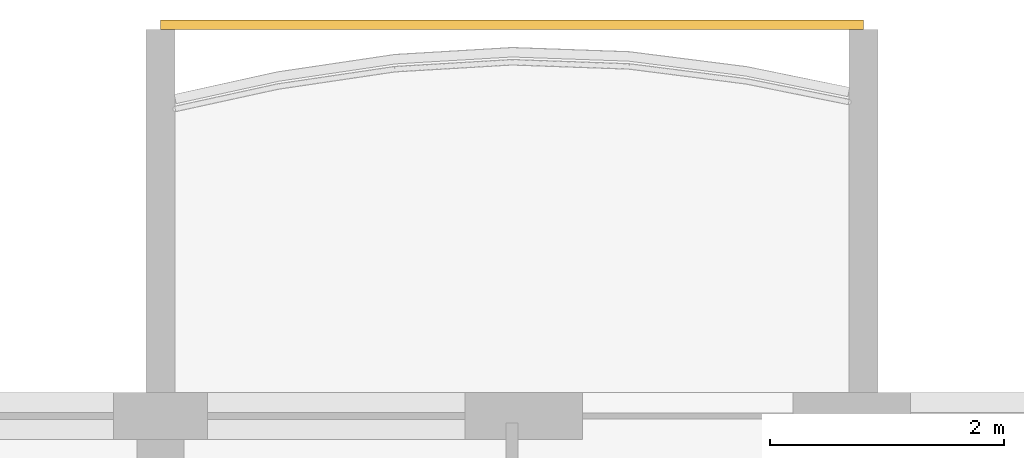
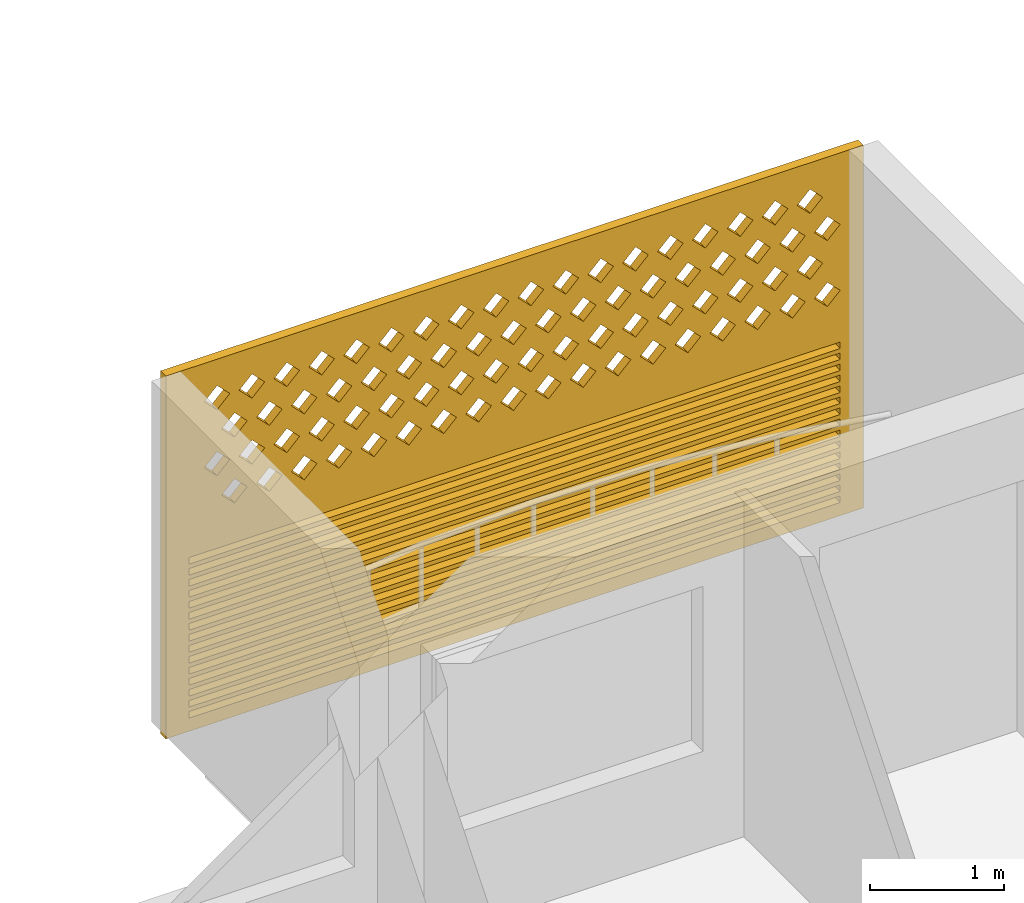
# One storey, part 23 of 38: 1 covering.
"""IFC4 building model written with IfcOpenShell, lengths in metres."""

from ifc_helpers import new_model, si_unit, direction, frame, origin, place, context, subcontext, project, spatial, polyline, outline, extrude, source, transform, mapped, material, material_profile, profile_set, type_object, element, save


model = new_model("IFC4")

# Units and contexts
model_context = context("Model", 3, precision=1e-05, world=origin(), true_north=direction((0.0, 1.0)))
body_context = subcontext(model_context, "Body", "Model", "MODEL_VIEW")
ifc_project = project(units=[si_unit("LENGTHUNIT", "METRE"), si_unit("AREAUNIT", "SQUARE_METRE"), si_unit("VOLUMEUNIT", "CUBIC_METRE"), si_unit("PLANEANGLEUNIT", "RADIAN"), si_unit("MASSUNIT", "GRAM", prefix="KILO")], contexts=[model_context])

# Site, building, storey
site_placement = place(None, origin())
site = spatial("IfcSite", under=ifc_project, at=site_placement, CompositionType="ELEMENT")
building_placement = place(site_placement, origin())
building = spatial("IfcBuilding", under=site, at=building_placement, Name="Poui Terraces", CompositionType="ELEMENT")
storey_placement = place(building_placement, frame((0.0, 0.0, 43.199951171875)))
storey = spatial("IfcBuildingStorey", under=building, at=storey_placement, Name="L11", CompositionType="ELEMENT", Elevation=43.199951171875)

# Covering
ifc_material = material(Name="Terracotta screen", Category="masonry")
ifc_material_profile = material_profile(ifc_material, outline(polyline([(-3.0, -1.64990234375), (3.0, -1.64990234375), (3.0, 1.64990234375), (-3.0, 1.64990234375), (-3.0, -1.64990234375)]), holes=[polyline([(-2.800048828125, 0.39990234375), (-2.68994140625, 0.2900390625), (-2.580078125, 0.39990234375), (-2.68994140625, 0.510009765625), (-2.800048828125, 0.39990234375)]), polyline([(-2.5, 0.39990234375), (-2.389892578125, 0.2900390625), (-2.280029296875, 0.39990234375), (-2.389892578125, 0.510009765625), (-2.5, 0.39990234375)]), polyline([(-2.199951171875, 0.39990234375), (-2.090087890625, 0.2900390625), (-1.97998046875, 0.39990234375), (-2.090087890625, 0.510009765625), (-2.199951171875, 0.39990234375)]), polyline([(-1.89990234375, 0.39990234375), (-1.7900390625, 0.2900390625), (-1.679931640625, 0.39990234375), (-1.7900390625, 0.510009765625), (-1.89990234375, 0.39990234375)]), polyline([(-1.60009765625, 0.39990234375), (-1.489990234375, 0.2900390625), (-1.3798828125, 0.39990234375), (-1.489990234375, 0.510009765625), (-1.60009765625, 0.39990234375)]), polyline([(-1.300048828125, 0.39990234375), (-1.18994140625, 0.2900390625), (-1.080078125, 0.39990234375), (-1.18994140625, 0.510009765625), (-1.300048828125, 0.39990234375)]), polyline([(-1.0, 0.39990234375), (-0.889892578125, 0.2900390625), (-0.780029296875, 0.39990234375), (-0.889892578125, 0.510009765625), (-1.0, 0.39990234375)]), polyline([(-0.699951171875, 0.39990234375), (-0.590087890625, 0.2900390625), (-0.47998046875, 0.39990234375), (-0.590087890625, 0.510009765625), (-0.699951171875, 0.39990234375)]), polyline([(-0.39990234375, 0.39990234375), (-0.2900390625, 0.2900390625), (-0.179931640625, 0.39990234375), (-0.2900390625, 0.510009765625), (-0.39990234375, 0.39990234375)]), polyline([(-0.10009765625, 0.39990234375), (0.010009765625, 0.2900390625), (0.1201171875, 0.39990234375), (0.010009765625, 0.510009765625), (-0.10009765625, 0.39990234375)]), polyline([(0.199951171875, 0.39990234375), (0.31005859375, 0.2900390625), (0.419921875, 0.39990234375), (0.31005859375, 0.510009765625), (0.199951171875, 0.39990234375)]), polyline([(0.5, 0.39990234375), (0.610107421875, 0.2900390625), (0.719970703125, 0.39990234375), (0.610107421875, 0.510009765625), (0.5, 0.39990234375)]), polyline([(0.800048828125, 0.39990234375), (0.909912109375, 0.2900390625), (1.02001953125, 0.39990234375), (0.909912109375, 0.510009765625), (0.800048828125, 0.39990234375)]), polyline([(1.10009765625, 0.39990234375), (1.2099609375, 0.2900390625), (1.320068359375, 0.39990234375), (1.2099609375, 0.510009765625), (1.10009765625, 0.39990234375)]), polyline([(1.39990234375, 0.39990234375), (1.510009765625, 0.2900390625), (1.6201171875, 0.39990234375), (1.510009765625, 0.510009765625), (1.39990234375, 0.39990234375)]), polyline([(1.699951171875, 0.39990234375), (1.81005859375, 0.2900390625), (1.919921875, 0.39990234375), (1.81005859375, 0.510009765625), (1.699951171875, 0.39990234375)]), polyline([(2.0, 0.39990234375), (2.110107421875, 0.2900390625), (2.219970703125, 0.39990234375), (2.110107421875, 0.510009765625), (2.0, 0.39990234375)]), polyline([(2.300048828125, 0.39990234375), (2.409912109375, 0.2900390625), (2.52001953125, 0.39990234375), (2.409912109375, 0.510009765625), (2.300048828125, 0.39990234375)]), polyline([(-2.64990234375, 0.699951171875), (-2.5400390625, 0.590087890625), (-2.429931640625, 0.699951171875), (-2.5400390625, 0.81005859375), (-2.64990234375, 0.699951171875)]), polyline([(-2.35009765625, 0.699951171875), (-2.239990234375, 0.590087890625), (-2.1298828125, 0.699951171875), (-2.239990234375, 0.81005859375), (-2.35009765625, 0.699951171875)]), polyline([(-2.050048828125, 0.699951171875), (-1.93994140625, 0.590087890625), (-1.830078125, 0.699951171875), (-1.93994140625, 0.81005859375), (-2.050048828125, 0.699951171875)]), polyline([(-1.75, 0.699951171875), (-1.639892578125, 0.590087890625), (-1.530029296875, 0.699951171875), (-1.639892578125, 0.81005859375), (-1.75, 0.699951171875)]), polyline([(-1.449951171875, 0.699951171875), (-1.340087890625, 0.590087890625), (-1.22998046875, 0.699951171875), (-1.340087890625, 0.81005859375), (-1.449951171875, 0.699951171875)]), polyline([(-1.14990234375, 0.699951171875), (-1.0400390625, 0.590087890625), (-0.929931640625, 0.699951171875), (-1.0400390625, 0.81005859375), (-1.14990234375, 0.699951171875)]), polyline([(-0.85009765625, 0.699951171875), (-0.739990234375, 0.590087890625), (-0.6298828125, 0.699951171875), (-0.739990234375, 0.81005859375), (-0.85009765625, 0.699951171875)]), polyline([(-0.550048828125, 0.699951171875), (-0.43994140625, 0.590087890625), (-0.330078125, 0.699951171875), (-0.43994140625, 0.81005859375), (-0.550048828125, 0.699951171875)]), polyline([(-0.25, 0.699951171875), (-0.139892578125, 0.590087890625), (-0.030029296875, 0.699951171875), (-0.139892578125, 0.81005859375), (-0.25, 0.699951171875)]), polyline([(0.050048828125, 0.699951171875), (0.159912109375, 0.590087890625), (0.27001953125, 0.699951171875), (0.159912109375, 0.81005859375), (0.050048828125, 0.699951171875)]), polyline([(0.35009765625, 0.699951171875), (0.4599609375, 0.590087890625), (0.570068359375, 0.699951171875), (0.4599609375, 0.81005859375), (0.35009765625, 0.699951171875)]), polyline([(0.64990234375, 0.699951171875), (0.760009765625, 0.590087890625), (0.8701171875, 0.699951171875), (0.760009765625, 0.81005859375), (0.64990234375, 0.699951171875)]), polyline([(0.949951171875, 0.699951171875), (1.06005859375, 0.590087890625), (1.169921875, 0.699951171875), (1.06005859375, 0.81005859375), (0.949951171875, 0.699951171875)]), polyline([(1.25, 0.699951171875), (1.360107421875, 0.590087890625), (1.469970703125, 0.699951171875), (1.360107421875, 0.81005859375), (1.25, 0.699951171875)]), polyline([(1.550048828125, 0.699951171875), (1.659912109375, 0.590087890625), (1.77001953125, 0.699951171875), (1.659912109375, 0.81005859375), (1.550048828125, 0.699951171875)]), polyline([(1.85009765625, 0.699951171875), (1.9599609375, 0.590087890625), (2.070068359375, 0.699951171875), (1.9599609375, 0.81005859375), (1.85009765625, 0.699951171875)]), polyline([(2.14990234375, 0.699951171875), (2.260009765625, 0.590087890625), (2.3701171875, 0.699951171875), (2.260009765625, 0.81005859375), (2.14990234375, 0.699951171875)]), polyline([(2.449951171875, 0.699951171875), (2.56005859375, 0.590087890625), (2.669921875, 0.699951171875), (2.56005859375, 0.81005859375), (2.449951171875, 0.699951171875)]), polyline([(-2.800048828125, 1.0), (-2.68994140625, 0.889892578125), (-2.580078125, 1.0), (-2.68994140625, 1.110107421875), (-2.800048828125, 1.0)]), polyline([(-2.5, 1.0), (-2.389892578125, 0.889892578125), (-2.280029296875, 1.0), (-2.389892578125, 1.110107421875), (-2.5, 1.0)]), polyline([(-2.199951171875, 1.0), (-2.090087890625, 0.889892578125), (-1.97998046875, 1.0), (-2.090087890625, 1.110107421875), (-2.199951171875, 1.0)]), polyline([(-1.89990234375, 1.0), (-1.7900390625, 0.889892578125), (-1.679931640625, 1.0), (-1.7900390625, 1.110107421875), (-1.89990234375, 1.0)]), polyline([(-1.60009765625, 1.0), (-1.489990234375, 0.889892578125), (-1.3798828125, 1.0), (-1.489990234375, 1.110107421875), (-1.60009765625, 1.0)]), polyline([(-1.300048828125, 1.0), (-1.18994140625, 0.889892578125), (-1.080078125, 1.0), (-1.18994140625, 1.110107421875), (-1.300048828125, 1.0)]), polyline([(-1.0, 1.0), (-0.889892578125, 0.889892578125), (-0.780029296875, 1.0), (-0.889892578125, 1.110107421875), (-1.0, 1.0)]), polyline([(-0.699951171875, 1.0), (-0.590087890625, 0.889892578125), (-0.47998046875, 1.0), (-0.590087890625, 1.110107421875), (-0.699951171875, 1.0)]), polyline([(-0.39990234375, 1.0), (-0.2900390625, 0.889892578125), (-0.179931640625, 1.0), (-0.2900390625, 1.110107421875), (-0.39990234375, 1.0)]), polyline([(-0.10009765625, 1.0), (0.010009765625, 0.889892578125), (0.1201171875, 1.0), (0.010009765625, 1.110107421875), (-0.10009765625, 1.0)]), polyline([(0.199951171875, 1.0), (0.31005859375, 0.889892578125), (0.419921875, 1.0), (0.31005859375, 1.110107421875), (0.199951171875, 1.0)]), polyline([(0.5, 1.0), (0.610107421875, 0.889892578125), (0.719970703125, 1.0), (0.610107421875, 1.110107421875), (0.5, 1.0)]), polyline([(0.800048828125, 1.0), (0.909912109375, 0.889892578125), (1.02001953125, 1.0), (0.909912109375, 1.110107421875), (0.800048828125, 1.0)]), polyline([(1.10009765625, 1.0), (1.2099609375, 0.889892578125), (1.320068359375, 1.0), (1.2099609375, 1.110107421875), (1.10009765625, 1.0)]), polyline([(1.39990234375, 1.0), (1.510009765625, 0.889892578125), (1.6201171875, 1.0), (1.510009765625, 1.110107421875), (1.39990234375, 1.0)]), polyline([(1.699951171875, 1.0), (1.81005859375, 0.889892578125), (1.919921875, 1.0), (1.81005859375, 1.110107421875), (1.699951171875, 1.0)]), polyline([(2.0, 1.0), (2.110107421875, 0.889892578125), (2.219970703125, 1.0), (2.110107421875, 1.110107421875), (2.0, 1.0)]), polyline([(2.300048828125, 1.0), (2.409912109375, 0.889892578125), (2.52001953125, 1.0), (2.409912109375, 1.110107421875), (2.300048828125, 1.0)]), polyline([(-2.64990234375, 1.300048828125), (-2.5400390625, 1.18994140625), (-2.429931640625, 1.300048828125), (-2.5400390625, 1.409912109375), (-2.64990234375, 1.300048828125)]), polyline([(-2.35009765625, 1.300048828125), (-2.239990234375, 1.18994140625), (-2.1298828125, 1.300048828125), (-2.239990234375, 1.409912109375), (-2.35009765625, 1.300048828125)]), polyline([(-2.050048828125, 1.300048828125), (-1.93994140625, 1.18994140625), (-1.830078125, 1.300048828125), (-1.93994140625, 1.409912109375), (-2.050048828125, 1.300048828125)]), polyline([(-1.75, 1.300048828125), (-1.639892578125, 1.18994140625), (-1.530029296875, 1.300048828125), (-1.639892578125, 1.409912109375), (-1.75, 1.300048828125)]), polyline([(-1.449951171875, 1.300048828125), (-1.340087890625, 1.18994140625), (-1.22998046875, 1.300048828125), (-1.340087890625, 1.409912109375), (-1.449951171875, 1.300048828125)]), polyline([(-1.14990234375, 1.300048828125), (-1.0400390625, 1.18994140625), (-0.929931640625, 1.300048828125), (-1.0400390625, 1.409912109375), (-1.14990234375, 1.300048828125)]), polyline([(-0.85009765625, 1.300048828125), (-0.739990234375, 1.18994140625), (-0.6298828125, 1.300048828125), (-0.739990234375, 1.409912109375), (-0.85009765625, 1.300048828125)]), polyline([(-0.550048828125, 1.300048828125), (-0.43994140625, 1.18994140625), (-0.330078125, 1.300048828125), (-0.43994140625, 1.409912109375), (-0.550048828125, 1.300048828125)]), polyline([(-0.25, 1.300048828125), (-0.139892578125, 1.18994140625), (-0.030029296875, 1.300048828125), (-0.139892578125, 1.409912109375), (-0.25, 1.300048828125)]), polyline([(0.050048828125, 1.300048828125), (0.159912109375, 1.18994140625), (0.27001953125, 1.300048828125), (0.159912109375, 1.409912109375), (0.050048828125, 1.300048828125)]), polyline([(0.35009765625, 1.300048828125), (0.4599609375, 1.18994140625), (0.570068359375, 1.300048828125), (0.4599609375, 1.409912109375), (0.35009765625, 1.300048828125)]), polyline([(0.64990234375, 1.300048828125), (0.760009765625, 1.18994140625), (0.8701171875, 1.300048828125), (0.760009765625, 1.409912109375), (0.64990234375, 1.300048828125)]), polyline([(0.949951171875, 1.300048828125), (1.06005859375, 1.18994140625), (1.169921875, 1.300048828125), (1.06005859375, 1.409912109375), (0.949951171875, 1.300048828125)]), polyline([(1.25, 1.300048828125), (1.360107421875, 1.18994140625), (1.469970703125, 1.300048828125), (1.360107421875, 1.409912109375), (1.25, 1.300048828125)]), polyline([(1.550048828125, 1.300048828125), (1.659912109375, 1.18994140625), (1.77001953125, 1.300048828125), (1.659912109375, 1.409912109375), (1.550048828125, 1.300048828125)]), polyline([(1.85009765625, 1.300048828125), (1.9599609375, 1.18994140625), (2.070068359375, 1.300048828125), (1.9599609375, 1.409912109375), (1.85009765625, 1.300048828125)]), polyline([(2.14990234375, 1.300048828125), (2.260009765625, 1.18994140625), (2.3701171875, 1.300048828125), (2.260009765625, 1.409912109375), (2.14990234375, 1.300048828125)]), polyline([(2.449951171875, 1.300048828125), (2.56005859375, 1.18994140625), (2.669921875, 1.300048828125), (2.56005859375, 1.409912109375), (2.449951171875, 1.300048828125)]), polyline([(-2.800048828125, -1.530029296875), (2.800048828125, -1.530029296875), (2.800048828125, -1.469970703125), (-2.800048828125, -1.469970703125), (-2.800048828125, -1.530029296875)]), polyline([(-2.800048828125, -1.429931640625), (2.800048828125, -1.429931640625), (2.800048828125, -1.3701171875), (-2.800048828125, -1.3701171875), (-2.800048828125, -1.429931640625)]), polyline([(-2.800048828125, -1.330078125), (2.800048828125, -1.330078125), (2.800048828125, -1.27001953125), (-2.800048828125, -1.27001953125), (-2.800048828125, -1.330078125)]), polyline([(-2.800048828125, -1.22998046875), (2.800048828125, -1.22998046875), (2.800048828125, -1.169921875), (-2.800048828125, -1.169921875), (-2.800048828125, -1.22998046875)]), polyline([(-2.800048828125, -1.1298828125), (2.800048828125, -1.1298828125), (2.800048828125, -1.070068359375), (-2.800048828125, -1.070068359375), (-2.800048828125, -1.1298828125)]), polyline([(-2.800048828125, -1.030029296875), (2.800048828125, -1.030029296875), (2.800048828125, -0.969970703125), (-2.800048828125, -0.969970703125), (-2.800048828125, -1.030029296875)]), polyline([(-2.800048828125, -0.929931640625), (2.800048828125, -0.929931640625), (2.800048828125, -0.8701171875), (-2.800048828125, -0.8701171875), (-2.800048828125, -0.929931640625)]), polyline([(-2.800048828125, -0.830078125), (2.800048828125, -0.830078125), (2.800048828125, -0.77001953125), (-2.800048828125, -0.77001953125), (-2.800048828125, -0.830078125)]), polyline([(-2.800048828125, -0.72998046875), (2.800048828125, -0.72998046875), (2.800048828125, -0.669921875), (-2.800048828125, -0.669921875), (-2.800048828125, -0.72998046875)]), polyline([(-2.800048828125, -0.6298828125), (2.800048828125, -0.6298828125), (2.800048828125, -0.570068359375), (-2.800048828125, -0.570068359375), (-2.800048828125, -0.6298828125)]), polyline([(-2.800048828125, -0.530029296875), (2.800048828125, -0.530029296875), (2.800048828125, -0.469970703125), (-2.800048828125, -0.469970703125), (-2.800048828125, -0.530029296875)]), polyline([(-2.800048828125, -0.429931640625), (2.800048828125, -0.429931640625), (2.800048828125, -0.3701171875), (-2.800048828125, -0.3701171875), (-2.800048828125, -0.429931640625)]), polyline([(-2.800048828125, -0.330078125), (2.800048828125, -0.330078125), (2.800048828125, -0.27001953125), (-2.800048828125, -0.27001953125), (-2.800048828125, -0.330078125)]), polyline([(-2.800048828125, -0.22998046875), (2.800048828125, -0.22998046875), (2.800048828125, -0.169921875), (-2.800048828125, -0.169921875), (-2.800048828125, -0.22998046875)]), polyline([(-2.800048828125, -0.1298828125), (2.800048828125, -0.1298828125), (2.800048828125, -0.070068359375), (-2.800048828125, -0.070068359375), (-2.800048828125, -0.1298828125)])]), Name="TERRACOTTA SCREEN AND JALOUSIE LOUVRE 6000X3300")
ifc_profile_set = profile_set([ifc_material_profile], Name="Terracotta screen")
covering_type = type_object("IfcCoveringType", Name="TERRACOTTA SCREEN AND JALOUSIE LOUVRE 6000X3300", PredefinedType="CLADDING", material=ifc_profile_set)
shared_shape = source(origin(), body_context, "Body", "SweptSolid", [
    extrude(outline(polyline([(-3.0, -1.64990234375), (3.0, -1.64990234375), (3.0, 1.64990234375), (-3.0, 1.64990234375), (-3.0, -1.64990234375)]), holes=[polyline([(-2.800048828125, 0.39990234375), (-2.68994140625, 0.2900390625), (-2.580078125, 0.39990234375), (-2.68994140625, 0.510009765625), (-2.800048828125, 0.39990234375)]), polyline([(-2.5, 0.39990234375), (-2.389892578125, 0.2900390625), (-2.280029296875, 0.39990234375), (-2.389892578125, 0.510009765625), (-2.5, 0.39990234375)]), polyline([(-2.199951171875, 0.39990234375), (-2.090087890625, 0.2900390625), (-1.97998046875, 0.39990234375), (-2.090087890625, 0.510009765625), (-2.199951171875, 0.39990234375)]), polyline([(-1.89990234375, 0.39990234375), (-1.7900390625, 0.2900390625), (-1.679931640625, 0.39990234375), (-1.7900390625, 0.510009765625), (-1.89990234375, 0.39990234375)]), polyline([(-1.60009765625, 0.39990234375), (-1.489990234375, 0.2900390625), (-1.3798828125, 0.39990234375), (-1.489990234375, 0.510009765625), (-1.60009765625, 0.39990234375)]), polyline([(-1.300048828125, 0.39990234375), (-1.18994140625, 0.2900390625), (-1.080078125, 0.39990234375), (-1.18994140625, 0.510009765625), (-1.300048828125, 0.39990234375)]), polyline([(-1.0, 0.39990234375), (-0.889892578125, 0.2900390625), (-0.780029296875, 0.39990234375), (-0.889892578125, 0.510009765625), (-1.0, 0.39990234375)]), polyline([(-0.699951171875, 0.39990234375), (-0.590087890625, 0.2900390625), (-0.47998046875, 0.39990234375), (-0.590087890625, 0.510009765625), (-0.699951171875, 0.39990234375)]), polyline([(-0.39990234375, 0.39990234375), (-0.2900390625, 0.2900390625), (-0.179931640625, 0.39990234375), (-0.2900390625, 0.510009765625), (-0.39990234375, 0.39990234375)]), polyline([(-0.10009765625, 0.39990234375), (0.010009765625, 0.2900390625), (0.1201171875, 0.39990234375), (0.010009765625, 0.510009765625), (-0.10009765625, 0.39990234375)]), polyline([(0.199951171875, 0.39990234375), (0.31005859375, 0.2900390625), (0.419921875, 0.39990234375), (0.31005859375, 0.510009765625), (0.199951171875, 0.39990234375)]), polyline([(0.5, 0.39990234375), (0.610107421875, 0.2900390625), (0.719970703125, 0.39990234375), (0.610107421875, 0.510009765625), (0.5, 0.39990234375)]), polyline([(0.800048828125, 0.39990234375), (0.909912109375, 0.2900390625), (1.02001953125, 0.39990234375), (0.909912109375, 0.510009765625), (0.800048828125, 0.39990234375)]), polyline([(1.10009765625, 0.39990234375), (1.2099609375, 0.2900390625), (1.320068359375, 0.39990234375), (1.2099609375, 0.510009765625), (1.10009765625, 0.39990234375)]), polyline([(1.39990234375, 0.39990234375), (1.510009765625, 0.2900390625), (1.6201171875, 0.39990234375), (1.510009765625, 0.510009765625), (1.39990234375, 0.39990234375)]), polyline([(1.699951171875, 0.39990234375), (1.81005859375, 0.2900390625), (1.919921875, 0.39990234375), (1.81005859375, 0.510009765625), (1.699951171875, 0.39990234375)]), polyline([(2.0, 0.39990234375), (2.110107421875, 0.2900390625), (2.219970703125, 0.39990234375), (2.110107421875, 0.510009765625), (2.0, 0.39990234375)]), polyline([(2.300048828125, 0.39990234375), (2.409912109375, 0.2900390625), (2.52001953125, 0.39990234375), (2.409912109375, 0.510009765625), (2.300048828125, 0.39990234375)]), polyline([(-2.64990234375, 0.699951171875), (-2.5400390625, 0.590087890625), (-2.429931640625, 0.699951171875), (-2.5400390625, 0.81005859375), (-2.64990234375, 0.699951171875)]), polyline([(-2.35009765625, 0.699951171875), (-2.239990234375, 0.590087890625), (-2.1298828125, 0.699951171875), (-2.239990234375, 0.81005859375), (-2.35009765625, 0.699951171875)]), polyline([(-2.050048828125, 0.699951171875), (-1.93994140625, 0.590087890625), (-1.830078125, 0.699951171875), (-1.93994140625, 0.81005859375), (-2.050048828125, 0.699951171875)]), polyline([(-1.75, 0.699951171875), (-1.639892578125, 0.590087890625), (-1.530029296875, 0.699951171875), (-1.639892578125, 0.81005859375), (-1.75, 0.699951171875)]), polyline([(-1.449951171875, 0.699951171875), (-1.340087890625, 0.590087890625), (-1.22998046875, 0.699951171875), (-1.340087890625, 0.81005859375), (-1.449951171875, 0.699951171875)]), polyline([(-1.14990234375, 0.699951171875), (-1.0400390625, 0.590087890625), (-0.929931640625, 0.699951171875), (-1.0400390625, 0.81005859375), (-1.14990234375, 0.699951171875)]), polyline([(-0.85009765625, 0.699951171875), (-0.739990234375, 0.590087890625), (-0.6298828125, 0.699951171875), (-0.739990234375, 0.81005859375), (-0.85009765625, 0.699951171875)]), polyline([(-0.550048828125, 0.699951171875), (-0.43994140625, 0.590087890625), (-0.330078125, 0.699951171875), (-0.43994140625, 0.81005859375), (-0.550048828125, 0.699951171875)]), polyline([(-0.25, 0.699951171875), (-0.139892578125, 0.590087890625), (-0.030029296875, 0.699951171875), (-0.139892578125, 0.81005859375), (-0.25, 0.699951171875)]), polyline([(0.050048828125, 0.699951171875), (0.159912109375, 0.590087890625), (0.27001953125, 0.699951171875), (0.159912109375, 0.81005859375), (0.050048828125, 0.699951171875)]), polyline([(0.35009765625, 0.699951171875), (0.4599609375, 0.590087890625), (0.570068359375, 0.699951171875), (0.4599609375, 0.81005859375), (0.35009765625, 0.699951171875)]), polyline([(0.64990234375, 0.699951171875), (0.760009765625, 0.590087890625), (0.8701171875, 0.699951171875), (0.760009765625, 0.81005859375), (0.64990234375, 0.699951171875)]), polyline([(0.949951171875, 0.699951171875), (1.06005859375, 0.590087890625), (1.169921875, 0.699951171875), (1.06005859375, 0.81005859375), (0.949951171875, 0.699951171875)]), polyline([(1.25, 0.699951171875), (1.360107421875, 0.590087890625), (1.469970703125, 0.699951171875), (1.360107421875, 0.81005859375), (1.25, 0.699951171875)]), polyline([(1.550048828125, 0.699951171875), (1.659912109375, 0.590087890625), (1.77001953125, 0.699951171875), (1.659912109375, 0.81005859375), (1.550048828125, 0.699951171875)]), polyline([(1.85009765625, 0.699951171875), (1.9599609375, 0.590087890625), (2.070068359375, 0.699951171875), (1.9599609375, 0.81005859375), (1.85009765625, 0.699951171875)]), polyline([(2.14990234375, 0.699951171875), (2.260009765625, 0.590087890625), (2.3701171875, 0.699951171875), (2.260009765625, 0.81005859375), (2.14990234375, 0.699951171875)]), polyline([(2.449951171875, 0.699951171875), (2.56005859375, 0.590087890625), (2.669921875, 0.699951171875), (2.56005859375, 0.81005859375), (2.449951171875, 0.699951171875)]), polyline([(-2.800048828125, 1.0), (-2.68994140625, 0.889892578125), (-2.580078125, 1.0), (-2.68994140625, 1.110107421875), (-2.800048828125, 1.0)]), polyline([(-2.5, 1.0), (-2.389892578125, 0.889892578125), (-2.280029296875, 1.0), (-2.389892578125, 1.110107421875), (-2.5, 1.0)]), polyline([(-2.199951171875, 1.0), (-2.090087890625, 0.889892578125), (-1.97998046875, 1.0), (-2.090087890625, 1.110107421875), (-2.199951171875, 1.0)]), polyline([(-1.89990234375, 1.0), (-1.7900390625, 0.889892578125), (-1.679931640625, 1.0), (-1.7900390625, 1.110107421875), (-1.89990234375, 1.0)]), polyline([(-1.60009765625, 1.0), (-1.489990234375, 0.889892578125), (-1.3798828125, 1.0), (-1.489990234375, 1.110107421875), (-1.60009765625, 1.0)]), polyline([(-1.300048828125, 1.0), (-1.18994140625, 0.889892578125), (-1.080078125, 1.0), (-1.18994140625, 1.110107421875), (-1.300048828125, 1.0)]), polyline([(-1.0, 1.0), (-0.889892578125, 0.889892578125), (-0.780029296875, 1.0), (-0.889892578125, 1.110107421875), (-1.0, 1.0)]), polyline([(-0.699951171875, 1.0), (-0.590087890625, 0.889892578125), (-0.47998046875, 1.0), (-0.590087890625, 1.110107421875), (-0.699951171875, 1.0)]), polyline([(-0.39990234375, 1.0), (-0.2900390625, 0.889892578125), (-0.179931640625, 1.0), (-0.2900390625, 1.110107421875), (-0.39990234375, 1.0)]), polyline([(-0.10009765625, 1.0), (0.010009765625, 0.889892578125), (0.1201171875, 1.0), (0.010009765625, 1.110107421875), (-0.10009765625, 1.0)]), polyline([(0.199951171875, 1.0), (0.31005859375, 0.889892578125), (0.419921875, 1.0), (0.31005859375, 1.110107421875), (0.199951171875, 1.0)]), polyline([(0.5, 1.0), (0.610107421875, 0.889892578125), (0.719970703125, 1.0), (0.610107421875, 1.110107421875), (0.5, 1.0)]), polyline([(0.800048828125, 1.0), (0.909912109375, 0.889892578125), (1.02001953125, 1.0), (0.909912109375, 1.110107421875), (0.800048828125, 1.0)]), polyline([(1.10009765625, 1.0), (1.2099609375, 0.889892578125), (1.320068359375, 1.0), (1.2099609375, 1.110107421875), (1.10009765625, 1.0)]), polyline([(1.39990234375, 1.0), (1.510009765625, 0.889892578125), (1.6201171875, 1.0), (1.510009765625, 1.110107421875), (1.39990234375, 1.0)]), polyline([(1.699951171875, 1.0), (1.81005859375, 0.889892578125), (1.919921875, 1.0), (1.81005859375, 1.110107421875), (1.699951171875, 1.0)]), polyline([(2.0, 1.0), (2.110107421875, 0.889892578125), (2.219970703125, 1.0), (2.110107421875, 1.110107421875), (2.0, 1.0)]), polyline([(2.300048828125, 1.0), (2.409912109375, 0.889892578125), (2.52001953125, 1.0), (2.409912109375, 1.110107421875), (2.300048828125, 1.0)]), polyline([(-2.64990234375, 1.300048828125), (-2.5400390625, 1.18994140625), (-2.429931640625, 1.300048828125), (-2.5400390625, 1.409912109375), (-2.64990234375, 1.300048828125)]), polyline([(-2.35009765625, 1.300048828125), (-2.239990234375, 1.18994140625), (-2.1298828125, 1.300048828125), (-2.239990234375, 1.409912109375), (-2.35009765625, 1.300048828125)]), polyline([(-2.050048828125, 1.300048828125), (-1.93994140625, 1.18994140625), (-1.830078125, 1.300048828125), (-1.93994140625, 1.409912109375), (-2.050048828125, 1.300048828125)]), polyline([(-1.75, 1.300048828125), (-1.639892578125, 1.18994140625), (-1.530029296875, 1.300048828125), (-1.639892578125, 1.409912109375), (-1.75, 1.300048828125)]), polyline([(-1.449951171875, 1.300048828125), (-1.340087890625, 1.18994140625), (-1.22998046875, 1.300048828125), (-1.340087890625, 1.409912109375), (-1.449951171875, 1.300048828125)]), polyline([(-1.14990234375, 1.300048828125), (-1.0400390625, 1.18994140625), (-0.929931640625, 1.300048828125), (-1.0400390625, 1.409912109375), (-1.14990234375, 1.300048828125)]), polyline([(-0.85009765625, 1.300048828125), (-0.739990234375, 1.18994140625), (-0.6298828125, 1.300048828125), (-0.739990234375, 1.409912109375), (-0.85009765625, 1.300048828125)]), polyline([(-0.550048828125, 1.300048828125), (-0.43994140625, 1.18994140625), (-0.330078125, 1.300048828125), (-0.43994140625, 1.409912109375), (-0.550048828125, 1.300048828125)]), polyline([(-0.25, 1.300048828125), (-0.139892578125, 1.18994140625), (-0.030029296875, 1.300048828125), (-0.139892578125, 1.409912109375), (-0.25, 1.300048828125)]), polyline([(0.050048828125, 1.300048828125), (0.159912109375, 1.18994140625), (0.27001953125, 1.300048828125), (0.159912109375, 1.409912109375), (0.050048828125, 1.300048828125)]), polyline([(0.35009765625, 1.300048828125), (0.4599609375, 1.18994140625), (0.570068359375, 1.300048828125), (0.4599609375, 1.409912109375), (0.35009765625, 1.300048828125)]), polyline([(0.64990234375, 1.300048828125), (0.760009765625, 1.18994140625), (0.8701171875, 1.300048828125), (0.760009765625, 1.409912109375), (0.64990234375, 1.300048828125)]), polyline([(0.949951171875, 1.300048828125), (1.06005859375, 1.18994140625), (1.169921875, 1.300048828125), (1.06005859375, 1.409912109375), (0.949951171875, 1.300048828125)]), polyline([(1.25, 1.300048828125), (1.360107421875, 1.18994140625), (1.469970703125, 1.300048828125), (1.360107421875, 1.409912109375), (1.25, 1.300048828125)]), polyline([(1.550048828125, 1.300048828125), (1.659912109375, 1.18994140625), (1.77001953125, 1.300048828125), (1.659912109375, 1.409912109375), (1.550048828125, 1.300048828125)]), polyline([(1.85009765625, 1.300048828125), (1.9599609375, 1.18994140625), (2.070068359375, 1.300048828125), (1.9599609375, 1.409912109375), (1.85009765625, 1.300048828125)]), polyline([(2.14990234375, 1.300048828125), (2.260009765625, 1.18994140625), (2.3701171875, 1.300048828125), (2.260009765625, 1.409912109375), (2.14990234375, 1.300048828125)]), polyline([(2.449951171875, 1.300048828125), (2.56005859375, 1.18994140625), (2.669921875, 1.300048828125), (2.56005859375, 1.409912109375), (2.449951171875, 1.300048828125)]), polyline([(-2.800048828125, -1.530029296875), (2.800048828125, -1.530029296875), (2.800048828125, -1.469970703125), (-2.800048828125, -1.469970703125), (-2.800048828125, -1.530029296875)]), polyline([(-2.800048828125, -1.429931640625), (2.800048828125, -1.429931640625), (2.800048828125, -1.3701171875), (-2.800048828125, -1.3701171875), (-2.800048828125, -1.429931640625)]), polyline([(-2.800048828125, -1.330078125), (2.800048828125, -1.330078125), (2.800048828125, -1.27001953125), (-2.800048828125, -1.27001953125), (-2.800048828125, -1.330078125)]), polyline([(-2.800048828125, -1.22998046875), (2.800048828125, -1.22998046875), (2.800048828125, -1.169921875), (-2.800048828125, -1.169921875), (-2.800048828125, -1.22998046875)]), polyline([(-2.800048828125, -1.1298828125), (2.800048828125, -1.1298828125), (2.800048828125, -1.070068359375), (-2.800048828125, -1.070068359375), (-2.800048828125, -1.1298828125)]), polyline([(-2.800048828125, -1.030029296875), (2.800048828125, -1.030029296875), (2.800048828125, -0.969970703125), (-2.800048828125, -0.969970703125), (-2.800048828125, -1.030029296875)]), polyline([(-2.800048828125, -0.929931640625), (2.800048828125, -0.929931640625), (2.800048828125, -0.8701171875), (-2.800048828125, -0.8701171875), (-2.800048828125, -0.929931640625)]), polyline([(-2.800048828125, -0.830078125), (2.800048828125, -0.830078125), (2.800048828125, -0.77001953125), (-2.800048828125, -0.77001953125), (-2.800048828125, -0.830078125)]), polyline([(-2.800048828125, -0.72998046875), (2.800048828125, -0.72998046875), (2.800048828125, -0.669921875), (-2.800048828125, -0.669921875), (-2.800048828125, -0.72998046875)]), polyline([(-2.800048828125, -0.6298828125), (2.800048828125, -0.6298828125), (2.800048828125, -0.570068359375), (-2.800048828125, -0.570068359375), (-2.800048828125, -0.6298828125)]), polyline([(-2.800048828125, -0.530029296875), (2.800048828125, -0.530029296875), (2.800048828125, -0.469970703125), (-2.800048828125, -0.469970703125), (-2.800048828125, -0.530029296875)]), polyline([(-2.800048828125, -0.429931640625), (2.800048828125, -0.429931640625), (2.800048828125, -0.3701171875), (-2.800048828125, -0.3701171875), (-2.800048828125, -0.429931640625)]), polyline([(-2.800048828125, -0.330078125), (2.800048828125, -0.330078125), (2.800048828125, -0.27001953125), (-2.800048828125, -0.27001953125), (-2.800048828125, -0.330078125)]), polyline([(-2.800048828125, -0.22998046875), (2.800048828125, -0.22998046875), (2.800048828125, -0.169921875), (-2.800048828125, -0.169921875), (-2.800048828125, -0.22998046875)]), polyline([(-2.800048828125, -0.1298828125), (2.800048828125, -0.1298828125), (2.800048828125, -0.070068359375), (-2.800048828125, -0.070068359375), (-2.800048828125, -0.1298828125)])]), origin(), (0.0, 0.0, 1.0), 0.079833984375),
])
covering_placement = place(storey_placement, frame((21.0, 48.10009765625, 1.449951171875), z_axis=(0.0, 1.0, 0.0), x_axis=(-1.0, 0.0, 0.0)))
element("IfcCovering", 1, at=covering_placement, inside=storey, type_object=covering_type, Name="SOLAR SCREEN AND JALOUSIE LOUVRE", PredefinedType="CLADDING", context=body_context, shape_type="MappedRepresentation", body=[
    mapped(shared_shape, transform((0.0, 0.0, 0.0))),
])

save(model, "model.ifc")
